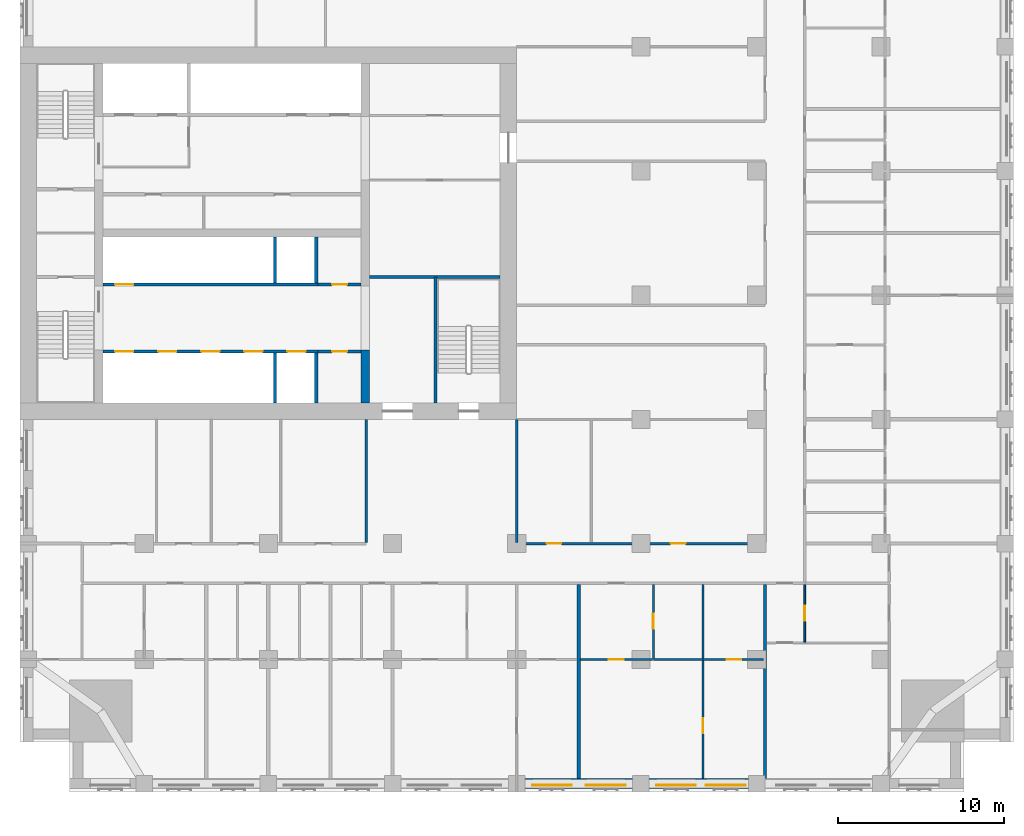
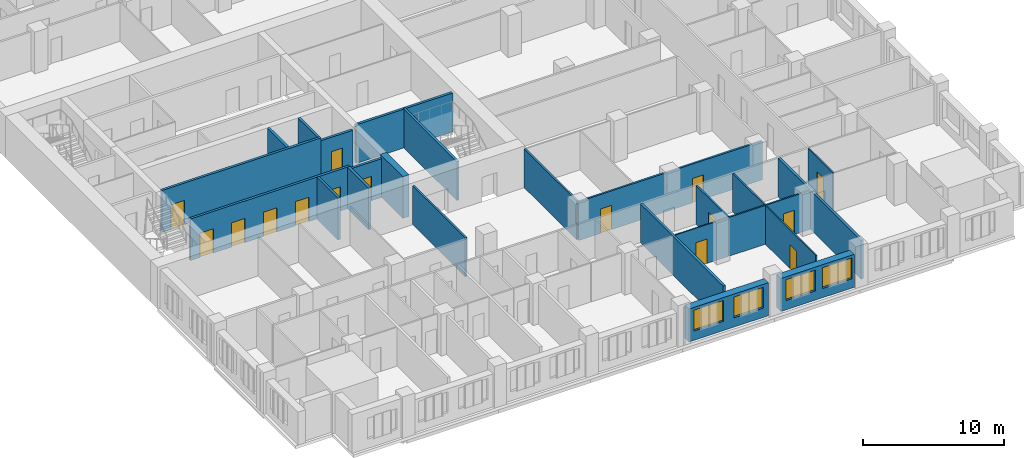
# One storey, part 6 of 15: 24 walls, 15 doors, 4 windows, 19 openings.
"""IFC4 building model written with IfcOpenShell, lengths in metres."""

import ifcopenshell
import ifcopenshell.guid

model = None  # the IFC model being written
_history = None  # IfcOwnerHistory: only IFC2X3 demands one
_inside = {}  # id of a spatial element -> (the spatial element, [elements in it])
_under = {}  # id of a project, library or spatial element -> (it, [spatial elements below it])
_declared = {}  # id of a project -> (the project, [libraries it declares])
_typed = {}  # id of a type object -> (the type object, [elements of that type])
_made_of = {}  # id of a material, layer set ... -> (it, [elements and type objects made of it])


def new_model(schema):
    """Start an empty IFC model of exactly this schema.

    Asked for "IFC4X3", IfcOpenShell would pick the latest addendum, in which some entities
    have other attributes; the version numbers below select the first issue.
    IFC2X3 requires an IfcOwnerHistory on every rooted entity: one is made here for all.
    """
    global model, _history
    if schema == "IFC4X3":
        model = ifcopenshell.file(schema_version=(4, 3, 0, 0))
    else:
        model = ifcopenshell.file(schema=schema)
    _inside.clear()
    _under.clear()
    _declared.clear()
    _typed.clear()
    _made_of.clear()
    _history = None
    if model.schema == "IFC2X3":
        org = make("IfcOrganization", Name="unknown")
        user = make(
            "IfcPersonAndOrganization",
            ThePerson=make("IfcPerson", FamilyName="unknown"),
            TheOrganization=org,
        )
        app = make(
            "IfcApplication",
            ApplicationDeveloper=org,
            Version="unknown",
            ApplicationFullName="unknown",
            ApplicationIdentifier="unknown",
        )
        _history = make(
            "IfcOwnerHistory",
            OwningUser=user,
            OwningApplication=app,
            ChangeAction="ADDED",
            CreationDate=0,
        )
    return model


def make(cls, **values):
    """One entity of the class cls with the attributes given. An attribute that is None is left unset."""
    return model.create_entity(
        cls, **{name: value for name, value in values.items() if value is not None}
    )


def rooted(cls, **values):
    """An entity with a GlobalId (a new one), such as an element, a storey or a relation."""
    return make(cls, GlobalId=ifcopenshell.guid.new(), OwnerHistory=_history, **values)


def si_unit(unit_type, name, prefix=None):
    """IfcSIUnit, for example si_unit("LENGTHUNIT", "METRE", prefix="MILLI")."""
    return make("IfcSIUnit", UnitType=unit_type, Prefix=prefix, Name=name)


def assignment(units):
    """IfcUnitAssignment: the units of a project."""
    return None if units is None else make("IfcUnitAssignment", Units=units)


def point(xyz):
    """IfcCartesianPoint."""
    return None if xyz is None else make("IfcCartesianPoint", Coordinates=xyz)


def direction(xyz):
    """IfcDirection."""
    return None if xyz is None else make("IfcDirection", DirectionRatios=xyz)


def frame(location, z_axis=None, x_axis=None):
    """IfcAxis2Placement3D, a coordinate frame: its origin and axes. An axis left out is left unset."""
    return make(
        "IfcAxis2Placement3D",
        Location=point(location),
        Axis=direction(z_axis),
        RefDirection=direction(x_axis),
    )


def frame_2d(location, x_axis=None):
    """IfcAxis2Placement2D, a coordinate frame in the plane: its origin and x axis."""
    return make(
        "IfcAxis2Placement2D", Location=point(location), RefDirection=direction(x_axis)
    )


def origin():
    """The frame at (0, 0, 0) with its axes left unset."""
    return frame((0.0, 0.0, 0.0))


def place(relative_to, where):
    """IfcLocalPlacement: puts the frame where relative to a parent placement (None: the world)."""
    return make(
        "IfcLocalPlacement", PlacementRelTo=relative_to, RelativePlacement=where
    )


def context(
    kind, dimensions, precision=None, world=None, true_north=None, identifier=None
):
    """IfcGeometricRepresentationContext, for example the 3D "Model" context."""
    return make(
        "IfcGeometricRepresentationContext",
        ContextIdentifier=identifier,
        ContextType=kind,
        CoordinateSpaceDimension=dimensions,
        Precision=precision,
        WorldCoordinateSystem=world,
        TrueNorth=true_north,
    )


def subcontext(parent, identifier, kind, view, scale=None):
    """IfcGeometricRepresentationSubContext, for example "Body" below "Model"."""
    return make(
        "IfcGeometricRepresentationSubContext",
        ContextIdentifier=identifier,
        ContextType=kind,
        ParentContext=parent,
        TargetScale=scale,
        TargetView=view,
    )


def project(units=None, contexts=None):
    """IfcProject with its units and contexts."""
    return rooted(
        "IfcProject",
        Name="project",
        RepresentationContexts=contexts,
        UnitsInContext=assignment(units),
    )


def spatial(cls, under=None, at=None, **own):
    """A site, building, storey or space (cls), placed at a placement, below another one or the project."""
    s = rooted(cls, ObjectPlacement=at, **own)
    if under is not None:
        _under.setdefault(under.id(), (under, []))[1].append(s)
    return s


def profile(cls, at=None, kind="AREA", **sizes):
    """A parametric profile (cls). Its sizes go by their IFC names, for example OverallWidth=200.0."""
    return make(cls, ProfileType=kind, Position=at, **sizes)


def rectangle(**sizes):
    """IfcRectangleProfileDef."""
    return profile("IfcRectangleProfileDef", **sizes)


def extrude(swept, where, along, depth):
    """IfcExtrudedAreaSolid: the profile swept, set in the frame where, extruded along a direction by depth."""
    return make(
        "IfcExtrudedAreaSolid",
        SweptArea=swept,
        Position=where,
        ExtrudedDirection=direction(along),
        Depth=depth,
    )


def shape(context_of_items, identifier, shape_type, items):
    """IfcShapeRepresentation: the items that make up one representation, for example the "Body"."""
    return make(
        "IfcShapeRepresentation",
        ContextOfItems=context_of_items,
        RepresentationIdentifier=identifier,
        RepresentationType=shape_type,
        Items=items,
    )


def material(Name=None, Category=None):
    """IfcMaterial."""
    return make("IfcMaterial", Name=Name, Category=Category)


def layer(
    of_material, thickness, ventilated=None, Name=None, Category=None, Priority=None
):
    """IfcMaterialLayer: one layer of a wall or slab, of a material (None: an air gap)."""
    return make(
        "IfcMaterialLayer",
        Material=of_material,
        LayerThickness=thickness,
        IsVentilated=ventilated,
        Name=Name,
        Category=Category,
        Priority=Priority,
    )


def layer_set(layers, Name=None):
    """IfcMaterialLayerSet."""
    return make("IfcMaterialLayerSet", MaterialLayers=layers, LayerSetName=Name)


def made_of(thing, what):
    """Note that an element or type object is made of a material, layer set ...; save() writes the relation."""
    if what is not None:
        _made_of.setdefault(what.id(), (what, []))[1].append(thing)
    return thing


def type_object(cls, material=None, **own):
    """A type object (cls), such as IfcWallType, which elements share."""
    return made_of(rooted(cls, **own), material)


def element(
    cls,
    number,
    at=None,
    inside=None,
    cuts=None,
    type_object=None,
    material=None,
    context=None,
    identifier="Body",
    shape_type=None,
    held_by="IfcProductDefinitionShape",
    body=None,
    shapes=None,
    **own,
):
    """One element of the class cls, such as IfcWall. Its Tag is "e" and its number.

    at: its placement. inside: the storey or other place that contains it. cuts: it is an
    opening in that element (IfcRelVoidsElement). A single representation is given by context,
    identifier, shape_type and body (its items); several are given by shapes. held_by: the class
    of the entity that holds the representations. save() writes the other relations.
    """
    e = rooted(cls, Tag="e%d" % number, ObjectPlacement=at, **own)
    if body is not None:
        shapes = [shape(context, identifier, shape_type, body)]
    if shapes is not None:
        e.Representation = make(held_by, Representations=shapes)
    if inside is not None:
        _inside.setdefault(inside.id(), (inside, []))[1].append(e)
    if cuts is not None:
        rooted(
            "IfcRelVoidsElement", RelatingBuildingElement=cuts, RelatedOpeningElement=e
        )
    if type_object is not None:
        _typed.setdefault(type_object.id(), (type_object, []))[1].append(e)
    return made_of(e, material)


def fill(opening, filler):
    """IfcRelFillsElement: the door or window that sits in an opening."""
    return rooted(
        "IfcRelFillsElement",
        RelatingOpeningElement=opening,
        RelatedBuildingElement=filler,
    )


def aggregate(whole, parts):
    """IfcRelAggregates: a whole, such as a stair, and the parts it consists of."""
    return rooted("IfcRelAggregates", RelatingObject=whole, RelatedObjects=parts)


def save(model, path):
    """Write the relations noted so far, then the file.

    IfcRelAggregates (storeys below a building ...), IfcRelContainedInSpatialStructure (elements
    in a storey), IfcRelDefinesByType, IfcRelAssociatesMaterial and IfcRelDeclares: one each for
    every whole, place, type object, material and project.
    """
    for whole, parts in _under.values():
        aggregate(whole, parts)
    for where, things in _inside.values():
        rooted(
            "IfcRelContainedInSpatialStructure",
            RelatedElements=things,
            RelatingStructure=where,
        )
    for kind, things in _typed.values():
        rooted("IfcRelDefinesByType", RelatedObjects=things, RelatingType=kind)
    for what, things in _made_of.values():
        rooted("IfcRelAssociatesMaterial", RelatedObjects=things, RelatingMaterial=what)
    for by, libraries in _declared.values():
        rooted("IfcRelDeclares", RelatingContext=by, RelatedDefinitions=libraries)
    model.write(path)


model = new_model("IFC4")

# Units and contexts
model_context = context("Model", 3, precision=1e-05, world=origin(), true_north=direction((0.0, 1.0)))
body_context = subcontext(model_context, "Body", "Model", "MODEL_VIEW")
ifc_project = project(units=[si_unit("LENGTHUNIT", "METRE"), si_unit("AREAUNIT", "SQUARE_METRE"), si_unit("VOLUMEUNIT", "CUBIC_METRE"), si_unit("PLANEANGLEUNIT", "RADIAN"), si_unit("MASSUNIT", "GRAM", prefix="KILO")], contexts=[model_context])

# Site, building, storey
site_placement = place(None, origin())
site = spatial("IfcSite", under=ifc_project, at=site_placement, CompositionType="ELEMENT")
building_placement = place(site_placement, origin())
building = spatial("IfcBuilding", under=site, at=building_placement, Name="Tamorin Gate", CompositionType="ELEMENT")
storey_placement = place(building_placement, frame((0.0, 0.0, 82.699951171875)))
storey = spatial("IfcBuildingStorey", under=building, at=storey_placement, Name="L19", CompositionType="ELEMENT", Elevation=82.699951171875)

# Wall, openings, windows
ifc_material_1 = material(Name="Precast concrete C40/50", Category="concrete")
ifc_layer_1 = layer(ifc_material_1, 0.60009765625)
ifc_layer_set_1 = layer_set([ifc_layer_1], Name="Precast concrete C40/50")
wall_type_1 = type_object("IfcWallType", Name="Board-marked concrete facade panel 600", PredefinedType="SOLIDWALL", material=ifc_layer_set_1)
wall_1_placement = place(storey_placement, frame((60.5, 38.0, 0.0), z_axis=(0.0, 0.0, 1.0), x_axis=(1.0, 0.0, 0.0)))
wall_1 = element("IfcWall", 1, at=wall_1_placement, inside=storey, type_object=wall_type_1, Name="Facade panel", PredefinedType="SOLIDWALL", context=body_context, shape_type="SweptSolid", body=[
    extrude(rectangle(XDim=6.5, YDim=0.60009765625, at=frame_2d((3.25, 0.0))), origin(), (0.0, 0.0, 1.0), 2.85009765625),
])
opening_1_placement = place(wall_1_placement, frame((0.425048828125, 0.0, 0.800048828125)))
opening_1 = element("IfcOpeningElement", 2, at=opening_1_placement, cuts=wall_1, Name="Opening WN1", PredefinedType="OPENING", context=body_context, shape_type="SweptSolid", body=[
    extrude(rectangle(XDim=2.39990234375, YDim=1.800048828125, at=frame_2d((1.199951171875, 0.89990234375))), frame((0.0, 0.31005859375, 0.0), z_axis=(0.0, -1.0, 0.0), x_axis=(1.0, 0.0, 0.0)), (0.0, 0.0, 1.0), 0.6201171875),
])
opening_2_placement = place(wall_1_placement, frame((3.675048828125, 0.0, 0.800048828125)))
opening_2 = element("IfcOpeningElement", 3, at=opening_2_placement, cuts=wall_1, Name="Opening WN1", PredefinedType="OPENING", context=body_context, shape_type="SweptSolid", body=[
    extrude(rectangle(XDim=2.39990234375, YDim=1.800048828125, at=frame_2d((1.199951171875, 0.89990234375))), frame((0.0, 0.31005859375, 0.0), z_axis=(0.0, -1.0, 0.0), x_axis=(1.0, 0.0, 0.0)), (0.0, 0.0, 1.0), 0.6201171875),
])
ifc_material_2 = material(Name="Clear glass in aluminium frame", Category="aluminium")
window_type = type_object("IfcWindowType", Name="Deep-set window 2400x1800", PartitioningType="SINGLE_PANEL", PredefinedType="WINDOW", material=ifc_material_2)
window_1_placement = place(opening_1_placement, origin())
window_1 = element("IfcWindow", 4, at=window_1_placement, inside=storey, type_object=window_type, Name="Deep-set window", OverallHeight=1.800048828125, OverallWidth=2.39990234375, PartitioningType="SINGLE_PANEL", PredefinedType="WINDOW", context=body_context, shape_type="SweptSolid", body=[
    extrude(rectangle(XDim=2.39990234375, YDim=1.800048828125, at=frame_2d((1.199951171875, 0.89990234375))), frame((0.0, -0.070068359375, 0.0), z_axis=(0.0, -1.0, 0.0), x_axis=(1.0, 0.0, 0.0)), (0.0, 0.0, 1.0), 0.06005859375),
])
fill(opening_1, window_1)
window_2_placement = place(opening_2_placement, origin())
window_2 = element("IfcWindow", 5, at=window_2_placement, inside=storey, type_object=window_type, Name="Deep-set window", OverallHeight=1.800048828125, OverallWidth=2.39990234375, PartitioningType="SINGLE_PANEL", PredefinedType="WINDOW", context=body_context, shape_type="SweptSolid", body=[
    extrude(rectangle(XDim=2.39990234375, YDim=1.800048828125, at=frame_2d((1.199951171875, 0.89990234375))), frame((0.0, -0.070068359375, 0.0), z_axis=(0.0, -1.0, 0.0), x_axis=(1.0, 0.0, 0.0)), (0.0, 0.0, 1.0), 0.06005859375),
])
fill(opening_2, window_2)

wall_2_placement = place(storey_placement, frame((68.0, 38.0, 0.0), z_axis=(0.0, 0.0, 1.0), x_axis=(1.0, 0.0, 0.0)))
wall_2 = element("IfcWall", 6, at=wall_2_placement, inside=storey, type_object=wall_type_1, Name="Facade panel", PredefinedType="SOLIDWALL", context=body_context, shape_type="SweptSolid", body=[
    extrude(rectangle(XDim=6.0, YDim=0.60009765625, at=frame_2d((3.0, 0.0))), origin(), (0.0, 0.0, 1.0), 2.85009765625),
])
opening_3_placement = place(wall_2_placement, frame((0.425048828125, 0.0, 0.800048828125)))
opening_3 = element("IfcOpeningElement", 7, at=opening_3_placement, cuts=wall_2, Name="Opening WN1", PredefinedType="OPENING", context=body_context, shape_type="SweptSolid", body=[
    extrude(rectangle(XDim=2.39990234375, YDim=1.800048828125, at=frame_2d((1.199951171875, 0.89990234375))), frame((0.0, 0.31005859375, 0.0), z_axis=(0.0, -1.0, 0.0), x_axis=(1.0, 0.0, 0.0)), (0.0, 0.0, 1.0), 0.6201171875),
])
opening_4_placement = place(wall_2_placement, frame((3.425048828125, 0.0, 0.800048828125)))
opening_4 = element("IfcOpeningElement", 8, at=opening_4_placement, cuts=wall_2, Name="Opening WN1", PredefinedType="OPENING", context=body_context, shape_type="SweptSolid", body=[
    extrude(rectangle(XDim=2.39990234375, YDim=1.800048828125, at=frame_2d((1.199951171875, 0.89990234375))), frame((0.0, 0.31005859375, 0.0), z_axis=(0.0, -1.0, 0.0), x_axis=(1.0, 0.0, 0.0)), (0.0, 0.0, 1.0), 0.6201171875),
])
window_3_placement = place(opening_3_placement, origin())
window_3 = element("IfcWindow", 9, at=window_3_placement, inside=storey, type_object=window_type, Name="Deep-set window", OverallHeight=1.800048828125, OverallWidth=2.39990234375, PartitioningType="SINGLE_PANEL", PredefinedType="WINDOW", context=body_context, shape_type="SweptSolid", body=[
    extrude(rectangle(XDim=2.39990234375, YDim=1.800048828125, at=frame_2d((1.199951171875, 0.89990234375))), frame((0.0, -0.070068359375, 0.0), z_axis=(0.0, -1.0, 0.0), x_axis=(1.0, 0.0, 0.0)), (0.0, 0.0, 1.0), 0.06005859375),
])
fill(opening_3, window_3)
window_4_placement = place(opening_4_placement, origin())
window_4 = element("IfcWindow", 10, at=window_4_placement, inside=storey, type_object=window_type, Name="Deep-set window", OverallHeight=1.800048828125, OverallWidth=2.39990234375, PartitioningType="SINGLE_PANEL", PredefinedType="WINDOW", context=body_context, shape_type="SweptSolid", body=[
    extrude(rectangle(XDim=2.39990234375, YDim=1.800048828125, at=frame_2d((1.199951171875, 0.89990234375))), frame((0.0, -0.070068359375, 0.0), z_axis=(0.0, -1.0, 0.0), x_axis=(1.0, 0.0, 0.0)), (0.0, 0.0, 1.0), 0.06005859375),
])
fill(opening_4, window_4)

# Wall, openings, doors
ifc_material_3 = material(Name="Gypsum board partition")
ifc_layer_2 = layer(ifc_material_3, 0.14990234375)
ifc_layer_set_2 = layer_set([ifc_layer_2], Name="Corridor wall 150")
wall_type_2 = type_object("IfcWallType", Name="Corridor wall 150", PredefinedType="PARTITIONING", material=ifc_layer_set_2)
wall_3_placement = place(storey_placement, frame((60.0, 52.5, 0.0), z_axis=(0.0, 0.0, 1.0), x_axis=(1.0, 0.0, 0.0)))
wall_3 = element("IfcWall", 11, at=wall_3_placement, inside=storey, type_object=wall_type_2, Name="Corridor wall 150", PredefinedType="PARTITIONING", context=body_context, shape_type="SweptSolid", body=[
    extrude(rectangle(XDim=15.0, YDim=0.14990234375, at=frame_2d((7.5, 0.0))), origin(), (0.0, 0.0, 1.0), 3.35009765625),
])
opening_5_placement = place(wall_3_placement, frame((1.800048828125, 0.0, 0.0)))
opening_5 = element("IfcOpeningElement", 12, at=opening_5_placement, cuts=wall_3, Name="Opening DH6090", PredefinedType="OPENING", context=body_context, shape_type="SweptSolid", body=[
    extrude(rectangle(XDim=0.89990234375, YDim=2.10009765625, at=frame_2d((0.449951171875, 1.050048828125))), frame((0.0, 0.0849609375, 0.0), z_axis=(0.0, -1.0, 0.0), x_axis=(1.0, 0.0, 0.0)), (0.0, 0.0, 1.0), 0.169921875),
])
opening_6_placement = place(wall_3_placement, frame((9.300048828125, 0.0, 0.0)))
opening_6 = element("IfcOpeningElement", 13, at=opening_6_placement, cuts=wall_3, Name="Opening DH6091", PredefinedType="OPENING", context=body_context, shape_type="SweptSolid", body=[
    extrude(rectangle(XDim=0.89990234375, YDim=2.10009765625, at=frame_2d((0.449951171875, 1.050048828125))), frame((0.0, 0.0849609375, 0.0), z_axis=(0.0, -1.0, 0.0), x_axis=(1.0, 0.0, 0.0)), (0.0, 0.0, 1.0), 0.169921875),
])
ifc_material_4 = material(Name="Timber door leaf", Category="wood")
door_type_1 = type_object("IfcDoorType", Name="Door 900 x 2100 FD30S", OperationType="NOTDEFINED", PredefinedType="DOOR", material=ifc_material_4)
door_1_placement = place(opening_5_placement, origin())
door_1 = element("IfcDoor", 14, at=door_1_placement, inside=storey, type_object=door_type_1, Name="Door DH6090", OperationType="SINGLE_SWING_LEFT", OverallHeight=2.10009765625, OverallWidth=0.89990234375, PredefinedType="DOOR", context=body_context, shape_type="SweptSolid", body=[
    extrude(rectangle(XDim=0.89990234375, YDim=2.10009765625, at=frame_2d((0.449951171875, 1.050048828125))), frame((0.0, 0.02490234375, 0.0), z_axis=(0.0, -1.0, 0.0), x_axis=(1.0, 0.0, 0.0)), (0.0, 0.0, 1.0), 0.050048828125),
])
fill(opening_5, door_1)
door_2_placement = place(opening_6_placement, origin())
door_2 = element("IfcDoor", 15, at=door_2_placement, inside=storey, type_object=door_type_1, Name="Door DH6091", OperationType="SINGLE_SWING_LEFT", OverallHeight=2.10009765625, OverallWidth=0.89990234375, PredefinedType="DOOR", context=body_context, shape_type="SweptSolid", body=[
    extrude(rectangle(XDim=0.89990234375, YDim=2.10009765625, at=frame_2d((0.449951171875, 1.050048828125))), frame((0.0, 0.02490234375, 0.0), z_axis=(0.0, -1.0, 0.0), x_axis=(1.0, 0.0, 0.0)), (0.0, 0.0, 1.0), 0.050048828125),
])
fill(opening_6, door_2)

# Walls
ifc_layer_3 = layer(ifc_material_3, 0.199951171875)
ifc_layer_set_3 = layer_set([ifc_layer_3], Name="Demising wall 200")
wall_type_3 = type_object("IfcWallType", Name="Demising wall 200", PredefinedType="PARTITIONING", material=ifc_layer_set_3)
for number, where, z_axis, x_axis, name in (
    (16, (63.75, 38.31005859375, 0.0), (0.0, 0.0, 1.0), (0.0, 1.0, 0.0), "Demising wall 200"),
    (17, (75.0, 38.31005859375, 0.0), (0.0, 0.0, 1.0), (0.0, 1.0, 0.0), "Demising wall 200"),
):
    element("IfcWall", number, at=place(storey_placement, frame(where, z_axis=z_axis, x_axis=x_axis)), inside=storey, type_object=wall_type_3, Name=name, PredefinedType="PARTITIONING", context=body_context, shape_type="SweptSolid", body=[
        extrude(rectangle(XDim=11.71484375, YDim=0.199951171875, at=frame_2d((5.857421875, 0.0))), origin(), (0.0, 0.0, 1.0), 3.35009765625),
    ])

# Wall, openings, doors
ifc_material_5 = material(Name="Concrete C32/40", Category="concrete")
ifc_layer_4 = layer(ifc_material_5, 0.199951171875)
ifc_layer_set_4 = layer_set([ifc_layer_4], Name="Lift lobby face wall 200 EI 120")
wall_type_4 = type_object("IfcWallType", Name="Lift lobby face wall 200 EI 120", PredefinedType="SOLIDWALL", material=ifc_layer_set_4)
wall_4_placement = place(storey_placement, frame((35.0, 64.10009765625, 0.0), z_axis=(0.0, 0.0, 1.0), x_axis=(1.0, 0.0, 0.0)))
wall_4 = element("IfcWall", 18, at=wall_4_placement, inside=storey, type_object=wall_type_4, Name="Lift lobby face wall", PredefinedType="SOLIDWALL", context=body_context, shape_type="SweptSolid", body=[
    extrude(rectangle(XDim=13.0, YDim=0.199951171875, at=frame_2d((6.5, 0.0))), origin(), (0.0, 0.0, 1.0), 3.60009765625),
])
opening_7_placement = place(wall_4_placement, frame((0.75, 0.0, 0.0)))
opening_7 = element("IfcOpeningElement", 19, at=opening_7_placement, cuts=wall_4, Name="Opening LD1", PredefinedType="OPENING", context=body_context, shape_type="SweptSolid", body=[
    extrude(rectangle(XDim=1.10009765625, YDim=2.10009765625, at=frame_2d((0.550048828125, 1.050048828125))), frame((0.0, 0.10986328125, 0.0), z_axis=(0.0, -1.0, 0.0), x_axis=(1.0, 0.0, 0.0)), (0.0, 0.0, 1.0), 0.219970703125),
])
opening_8_placement = place(wall_4_placement, frame((3.35009765625, 0.0, 0.0)))
opening_8 = element("IfcOpeningElement", 20, at=opening_8_placement, cuts=wall_4, Name="Opening LD2", PredefinedType="OPENING", context=body_context, shape_type="SweptSolid", body=[
    extrude(rectangle(XDim=1.10009765625, YDim=2.10009765625, at=frame_2d((0.550048828125, 1.050048828125))), frame((0.0, 0.10986328125, 0.0), z_axis=(0.0, -1.0, 0.0), x_axis=(1.0, 0.0, 0.0)), (0.0, 0.0, 1.0), 0.219970703125),
])
opening_9_placement = place(wall_4_placement, frame((5.949951171875, 0.0, 0.0)))
opening_9 = element("IfcOpeningElement", 21, at=opening_9_placement, cuts=wall_4, Name="Opening LD3", PredefinedType="OPENING", context=body_context, shape_type="SweptSolid", body=[
    extrude(rectangle(XDim=1.10009765625, YDim=2.10009765625, at=frame_2d((0.550048828125, 1.050048828125))), frame((0.0, 0.10986328125, 0.0), z_axis=(0.0, -1.0, 0.0), x_axis=(1.0, 0.0, 0.0)), (0.0, 0.0, 1.0), 0.219970703125),
])
opening_10_placement = place(wall_4_placement, frame((8.550048828125, 0.0, 0.0)))
opening_10 = element("IfcOpeningElement", 22, at=opening_10_placement, cuts=wall_4, Name="Opening LD4", PredefinedType="OPENING", context=body_context, shape_type="SweptSolid", body=[
    extrude(rectangle(XDim=1.10009765625, YDim=2.10009765625, at=frame_2d((0.550048828125, 1.050048828125))), frame((0.0, 0.10986328125, 0.0), z_axis=(0.0, -1.0, 0.0), x_axis=(1.0, 0.0, 0.0)), (0.0, 0.0, 1.0), 0.219970703125),
])
opening_11_placement = place(wall_4_placement, frame((11.14990234375, 0.0, 0.0)))
opening_11 = element("IfcOpeningElement", 23, at=opening_11_placement, cuts=wall_4, Name="Opening LD5", PredefinedType="OPENING", context=body_context, shape_type="SweptSolid", body=[
    extrude(rectangle(XDim=1.10009765625, YDim=2.10009765625, at=frame_2d((0.550048828125, 1.050048828125))), frame((0.0, 0.10986328125, 0.0), z_axis=(0.0, -1.0, 0.0), x_axis=(1.0, 0.0, 0.0)), (0.0, 0.0, 1.0), 0.219970703125),
])
ifc_material_6 = material(Name="Stainless steel sliding door", Category="steel")
door_type_2 = type_object("IfcDoorType", Name="Lift landing door 1100 x 2100 E 90", OperationType="DOUBLE_DOOR_SLIDING", PredefinedType="DOOR", material=ifc_material_6)
door_3_placement = place(opening_7_placement, origin())
door_3 = element("IfcDoor", 24, at=door_3_placement, inside=storey, type_object=door_type_2, Name="LR1 landing door", OperationType="DOUBLE_DOOR_SLIDING", OverallHeight=2.10009765625, OverallWidth=1.10009765625, PredefinedType="DOOR", context=body_context, shape_type="SweptSolid", body=[
    extrude(rectangle(XDim=1.10009765625, YDim=2.10009765625, at=frame_2d((0.550048828125, 1.050048828125))), frame((0.0, 0.02490234375, 0.0), z_axis=(0.0, -1.0, 0.0), x_axis=(1.0, 0.0, 0.0)), (0.0, 0.0, 1.0), 0.050048828125),
])
fill(opening_7, door_3)
door_4_placement = place(opening_8_placement, origin())
door_4 = element("IfcDoor", 25, at=door_4_placement, inside=storey, type_object=door_type_2, Name="LR2 landing door", OperationType="DOUBLE_DOOR_SLIDING", OverallHeight=2.10009765625, OverallWidth=1.10009765625, PredefinedType="DOOR", context=body_context, shape_type="SweptSolid", body=[
    extrude(rectangle(XDim=1.10009765625, YDim=2.10009765625, at=frame_2d((0.550048828125, 1.050048828125))), frame((0.0, 0.02490234375, 0.0), z_axis=(0.0, -1.0, 0.0), x_axis=(1.0, 0.0, 0.0)), (0.0, 0.0, 1.0), 0.050048828125),
])
fill(opening_8, door_4)
door_5_placement = place(opening_9_placement, origin())
door_5 = element("IfcDoor", 26, at=door_5_placement, inside=storey, type_object=door_type_2, Name="LR3 landing door", OperationType="DOUBLE_DOOR_SLIDING", OverallHeight=2.10009765625, OverallWidth=1.10009765625, PredefinedType="DOOR", context=body_context, shape_type="SweptSolid", body=[
    extrude(rectangle(XDim=1.10009765625, YDim=2.10009765625, at=frame_2d((0.550048828125, 1.050048828125))), frame((0.0, 0.02490234375, 0.0), z_axis=(0.0, -1.0, 0.0), x_axis=(1.0, 0.0, 0.0)), (0.0, 0.0, 1.0), 0.050048828125),
])
fill(opening_9, door_5)
door_6_placement = place(opening_10_placement, origin())
door_6 = element("IfcDoor", 27, at=door_6_placement, inside=storey, type_object=door_type_2, Name="LR4 landing door", OperationType="DOUBLE_DOOR_SLIDING", OverallHeight=2.10009765625, OverallWidth=1.10009765625, PredefinedType="DOOR", context=body_context, shape_type="SweptSolid", body=[
    extrude(rectangle(XDim=1.10009765625, YDim=2.10009765625, at=frame_2d((0.550048828125, 1.050048828125))), frame((0.0, 0.02490234375, 0.0), z_axis=(0.0, -1.0, 0.0), x_axis=(1.0, 0.0, 0.0)), (0.0, 0.0, 1.0), 0.050048828125),
])
fill(opening_10, door_6)
door_7_placement = place(opening_11_placement, origin())
door_7 = element("IfcDoor", 28, at=door_7_placement, inside=storey, type_object=door_type_2, Name="LR5 landing door", OperationType="DOUBLE_DOOR_SLIDING", OverallHeight=2.10009765625, OverallWidth=1.10009765625, PredefinedType="DOOR", context=body_context, shape_type="SweptSolid", body=[
    extrude(rectangle(XDim=1.10009765625, YDim=2.10009765625, at=frame_2d((0.550048828125, 1.050048828125))), frame((0.0, 0.02490234375, 0.0), z_axis=(0.0, -1.0, 0.0), x_axis=(1.0, 0.0, 0.0)), (0.0, 0.0, 1.0), 0.050048828125),
])
fill(opening_11, door_7)

# Wall, opening, door
wall_5_placement = place(storey_placement, frame((35.0, 68.14990234375, 0.0), z_axis=(0.0, 0.0, 1.0), x_axis=(1.0, 0.0, 0.0)))
wall_5 = element("IfcWall", 29, at=wall_5_placement, inside=storey, type_object=wall_type_4, Name="Lift lobby face wall", PredefinedType="SOLIDWALL", context=body_context, shape_type="SweptSolid", body=[
    extrude(rectangle(XDim=13.0, YDim=0.199951171875, at=frame_2d((6.5, 0.0))), origin(), (0.0, 0.0, 1.0), 3.60009765625),
])
opening_12_placement = place(wall_5_placement, frame((0.75, 0.0, 0.0)))
opening_12 = element("IfcOpeningElement", 30, at=opening_12_placement, cuts=wall_5, Name="Opening LD6", PredefinedType="OPENING", context=body_context, shape_type="SweptSolid", body=[
    extrude(rectangle(XDim=1.10009765625, YDim=2.10009765625, at=frame_2d((0.550048828125, 1.050048828125))), frame((0.0, 0.10986328125, 0.0), z_axis=(0.0, -1.0, 0.0), x_axis=(1.0, 0.0, 0.0)), (0.0, 0.0, 1.0), 0.219970703125),
])
door_8_placement = place(opening_12_placement, origin())
door_8 = element("IfcDoor", 31, at=door_8_placement, inside=storey, type_object=door_type_2, Name="LR6 landing door", OperationType="DOUBLE_DOOR_SLIDING", OverallHeight=2.10009765625, OverallWidth=1.10009765625, PredefinedType="DOOR", context=body_context, shape_type="SweptSolid", body=[
    extrude(rectangle(XDim=1.10009765625, YDim=2.10009765625, at=frame_2d((0.550048828125, 1.050048828125))), frame((0.0, 0.02490234375, 0.0), z_axis=(0.0, -1.0, 0.0), x_axis=(1.0, 0.0, 0.0)), (0.0, 0.0, 1.0), 0.050048828125),
])
fill(opening_12, door_8)

# Walls
ifc_layer_5 = layer(ifc_material_5, 0.199951171875)
ifc_layer_set_5 = layer_set([ifc_layer_5], Name="Lift shaft wall 200 EI 120")
wall_type_5 = type_object("IfcWallType", Name="Lift shaft wall 200 EI 120", PredefinedType="SOLIDWALL", material=ifc_layer_set_5)
for number, where, z_axis, x_axis, name in (
    (32, (45.39990234375, 61.0, 0.0), (0.0, 0.0, 1.0), (0.0, 1.0, 0.0), "Lift shaft wall"),
    (33, (47.89990234375, 61.0, 0.0), (0.0, 0.0, 1.0), (0.0, 1.0, 0.0), "Lift shaft wall"),
):
    element("IfcWall", number, at=place(storey_placement, frame(where, z_axis=z_axis, x_axis=x_axis)), inside=storey, type_object=wall_type_5, Name=name, PredefinedType="SOLIDWALL", context=body_context, shape_type="SweptSolid", body=[
        extrude(rectangle(XDim=3.0, YDim=0.199951171875, at=frame_2d((1.5, 0.0))), origin(), (0.0, 0.0, 1.0), 3.60009765625),
    ])
for number, where, z_axis, x_axis, name in (
    (34, (45.39990234375, 68.25, 0.0), (0.0, 0.0, 1.0), (0.0, 1.0, 0.0), "Lift shaft wall"),
    (35, (47.89990234375, 68.25, 0.0), (0.0, 0.0, 1.0), (0.0, 1.0, 0.0), "Lift shaft wall"),
):
    element("IfcWall", number, at=place(storey_placement, frame(where, z_axis=z_axis, x_axis=x_axis)), inside=storey, type_object=wall_type_5, Name=name, PredefinedType="SOLIDWALL", context=body_context, shape_type="SweptSolid", body=[
        extrude(rectangle(XDim=2.75, YDim=0.199951171875, at=frame_2d((1.375, 0.0))), origin(), (0.0, 0.0, 1.0), 3.60009765625),
    ])
ifc_layer_6 = layer(ifc_material_3, 0.14990234375)
ifc_layer_set_6 = layer_set([ifc_layer_6], Name="Lobby wall 150")
wall_type_6 = type_object("IfcWallType", Name="Lobby wall 150", PredefinedType="PARTITIONING", material=ifc_layer_set_6)
for number, where, z_axis, x_axis, name in (
    (36, (50.89990234375, 52.574951171875, 0.0), (0.0, 0.0, 1.0), (0.0, 1.0, 0.0), "Lobby wall 150"),
    (37, (60.0, 52.574951171875, 0.0), (0.0, 0.0, 1.0), (0.0, 1.0, 0.0), "Lobby wall 150"),
):
    element("IfcWall", number, at=place(storey_placement, frame(where, z_axis=z_axis, x_axis=x_axis)), inside=storey, type_object=wall_type_6, Name=name, PredefinedType="PARTITIONING", context=body_context, shape_type="SweptSolid", body=[
        extrude(rectangle(XDim=7.425048828125, YDim=0.14990234375, at=frame_2d((3.71240234375, 0.0))), origin(), (0.0, 0.0, 1.0), 3.35009765625),
    ])
ifc_material_7 = material(Name="Concrete C80/95", Category="concrete")
ifc_layer_7 = layer(ifc_material_7, 0.5)
ifc_layer_set_7 = layer_set([ifc_layer_7], Name="RC core internal wall 500 C80/95")
wall_type_7 = type_object("IfcWallType", Name="RC core internal wall 500 C80/95", PredefinedType="SHEAR", material=ifc_layer_set_7)
wall_6_placement = place(storey_placement, frame((50.85009765625, 61.0, 0.0), z_axis=(0.0, 0.0, 1.0), x_axis=(0.0, 1.0, 0.0)))
element("IfcWall", 38, at=wall_6_placement, inside=storey, type_object=wall_type_7, Name="Core cross wall L19", PredefinedType="SHEAR", context=body_context, shape_type="SweptSolid", body=[
    extrude(rectangle(XDim=3.199951171875, YDim=0.5, at=frame_2d((1.60009765625, 0.0))), origin(), (0.0, 0.0, 1.0), 3.60009765625),
])

# Wall, opening, door
ifc_layer_8 = layer(ifc_material_3, 0.10009765625)
ifc_layer_set_8 = layer_set([ifc_layer_8], Name="Room partition 100")
wall_type_8 = type_object("IfcWallType", Name="Room partition 100", PredefinedType="PARTITIONING", material=ifc_layer_set_8)
wall_7_placement = place(storey_placement, frame((63.85009765625, 45.5, 0.0), z_axis=(0.0, 0.0, 1.0), x_axis=(1.0, 0.0, 0.0)))
wall_7 = element("IfcWall", 39, at=wall_7_placement, inside=storey, type_object=wall_type_8, Name="Room partition 100", PredefinedType="PARTITIONING", context=body_context, shape_type="SweptSolid", body=[
    extrude(rectangle(XDim=4.33740234375, YDim=0.10009765625, at=frame_2d((2.168701171875, 0.0))), origin(), (0.0, 0.0, 1.0), 3.35009765625),
])
opening_13_placement = place(wall_7_placement, frame((1.699951171875, 0.0, 0.0)))
opening_13 = element("IfcOpeningElement", 40, at=opening_13_placement, cuts=wall_7, Name="Opening DH6020", PredefinedType="OPENING", context=body_context, shape_type="SweptSolid", body=[
    extrude(rectangle(XDim=0.89990234375, YDim=2.10009765625, at=frame_2d((0.449951171875, 1.050048828125))), frame((0.0, 0.06005859375, 0.0), z_axis=(0.0, -1.0, 0.0), x_axis=(1.0, 0.0, 0.0)), (0.0, 0.0, 1.0), 0.1201171875),
])
door_type_3 = type_object("IfcDoorType", Name="Door 900 x 2100", OperationType="NOTDEFINED", PredefinedType="DOOR", material=ifc_material_4)
door_9_placement = place(opening_13_placement, origin())
door_9 = element("IfcDoor", 41, at=door_9_placement, inside=storey, type_object=door_type_3, Name="Door DH6020", OperationType="SINGLE_SWING_LEFT", OverallHeight=2.10009765625, OverallWidth=0.89990234375, PredefinedType="DOOR", context=body_context, shape_type="SweptSolid", body=[
    extrude(rectangle(XDim=0.89990234375, YDim=2.10009765625, at=frame_2d((0.449951171875, 1.050048828125))), frame((0.0, 0.02490234375, 0.0), z_axis=(0.0, -1.0, 0.0), x_axis=(1.0, 0.0, 0.0)), (0.0, 0.0, 1.0), 0.050048828125),
])
fill(opening_13, door_9)

wall_8_placement = place(storey_placement, frame((71.25, 38.31005859375, 0.0), z_axis=(0.0, 0.0, 1.0), x_axis=(0.0, 1.0, 0.0)))
wall_8 = element("IfcWall", 42, at=wall_8_placement, inside=storey, type_object=wall_type_8, Name="Room partition 100", PredefinedType="PARTITIONING", context=body_context, shape_type="SweptSolid", body=[
    extrude(rectangle(XDim=7.12744140625, YDim=0.10009765625, at=frame_2d((3.563720703125, 0.0))), origin(), (0.0, 0.0, 1.0), 3.35009765625),
])
opening_14_placement = place(wall_8_placement, frame((2.739990234375, 0.0, 0.0)))
opening_14 = element("IfcOpeningElement", 43, at=opening_14_placement, cuts=wall_8, Name="Opening DH6023", PredefinedType="OPENING", context=body_context, shape_type="SweptSolid", body=[
    extrude(rectangle(XDim=0.89990234375, YDim=2.10009765625, at=frame_2d((0.449951171875, 1.050048828125))), frame((0.0, 0.06005859375, 0.0), z_axis=(0.0, -1.0, 0.0), x_axis=(1.0, 0.0, 0.0)), (0.0, 0.0, 1.0), 0.1201171875),
])
door_10_placement = place(opening_14_placement, origin())
door_10 = element("IfcDoor", 44, at=door_10_placement, inside=storey, type_object=door_type_3, Name="Door DH6023", OperationType="SINGLE_SWING_LEFT", OverallHeight=2.10009765625, OverallWidth=0.89990234375, PredefinedType="DOOR", context=body_context, shape_type="SweptSolid", body=[
    extrude(rectangle(XDim=0.89990234375, YDim=2.10009765625, at=frame_2d((0.449951171875, 1.050048828125))), frame((0.0, 0.02490234375, 0.0), z_axis=(0.0, -1.0, 0.0), x_axis=(1.0, 0.0, 0.0)), (0.0, 0.0, 1.0), 0.050048828125),
])
fill(opening_14, door_10)

wall_9_placement = place(storey_placement, frame((77.39990234375, 46.550048828125, 0.0), z_axis=(0.0, 0.0, 1.0), x_axis=(0.0, 1.0, 0.0)))
wall_9 = element("IfcWall", 45, at=wall_9_placement, inside=storey, type_object=wall_type_8, Name="Room partition 100", PredefinedType="PARTITIONING", context=body_context, shape_type="SweptSolid", body=[
    extrude(rectangle(XDim=3.474853515625, YDim=0.10009765625, at=frame_2d((1.7373046875, 0.0))), origin(), (0.0, 0.0, 1.0), 3.35009765625),
])
opening_15_placement = place(wall_9_placement, frame((1.300048828125, 0.0, 0.0)))
opening_15 = element("IfcOpeningElement", 46, at=opening_15_placement, cuts=wall_9, Name="Opening DH6076", PredefinedType="OPENING", context=body_context, shape_type="SweptSolid", body=[
    extrude(rectangle(XDim=0.89990234375, YDim=2.10009765625, at=frame_2d((0.449951171875, 1.050048828125))), frame((0.0, 0.06005859375, 0.0), z_axis=(0.0, -1.0, 0.0), x_axis=(1.0, 0.0, 0.0)), (0.0, 0.0, 1.0), 0.1201171875),
])
door_11_placement = place(opening_15_placement, origin())
door_11 = element("IfcDoor", 47, at=door_11_placement, inside=storey, type_object=door_type_3, Name="Door DH6076", OperationType="SINGLE_SWING_RIGHT", OverallHeight=2.10009765625, OverallWidth=0.89990234375, PredefinedType="DOOR", context=body_context, shape_type="SweptSolid", body=[
    extrude(rectangle(XDim=0.89990234375, YDim=2.10009765625, at=frame_2d((0.449951171875, 1.050048828125))), frame((0.0, 0.02490234375, 0.0), z_axis=(0.0, -1.0, 0.0), x_axis=(1.0, 0.0, 0.0)), (0.0, 0.0, 1.0), 0.050048828125),
])
fill(opening_15, door_11)

ifc_layer_9 = layer(ifc_material_3, 0.199951171875)
ifc_layer_set_9 = layer_set([ifc_layer_9], Name="Service room face wall 200 EI 60")
wall_type_9 = type_object("IfcWallType", Name="Service room face wall 200 EI 60", PredefinedType="PARTITIONING", material=ifc_layer_set_9)
wall_10_placement = place(storey_placement, frame((48.0, 64.10009765625, 0.0), z_axis=(0.0, 0.0, 1.0), x_axis=(1.0, 0.0, 0.0)))
wall_10 = element("IfcWall", 48, at=wall_10_placement, inside=storey, type_object=wall_type_9, Name="Service room face wall", PredefinedType="PARTITIONING", context=body_context, shape_type="SweptSolid", body=[
    extrude(rectangle(XDim=2.60009765625, YDim=0.199951171875, at=frame_2d((1.300048828125, 0.0))), origin(), (0.0, 0.0, 1.0), 3.35009765625),
])
opening_16_placement = place(wall_10_placement, frame((0.85009765625, 0.0, 0.0)))
opening_16 = element("IfcOpeningElement", 49, at=opening_16_placement, cuts=wall_10, Name="Opening DK1", PredefinedType="OPENING", context=body_context, shape_type="SweptSolid", body=[
    extrude(rectangle(XDim=0.89990234375, YDim=2.10009765625, at=frame_2d((0.449951171875, 1.050048828125))), frame((0.0, 0.10986328125, 0.0), z_axis=(0.0, -1.0, 0.0), x_axis=(1.0, 0.0, 0.0)), (0.0, 0.0, 1.0), 0.219970703125),
])
ifc_material_8 = material(Name="Timber fire door", Category="wood")
door_type_4 = type_object("IfcDoorType", Name="Service room door 900 x 2100 EI 60", OperationType="SINGLE_SWING_LEFT", PredefinedType="DOOR", material=ifc_material_8)
door_12_placement = place(opening_16_placement, origin())
door_12 = element("IfcDoor", 50, at=door_12_placement, inside=storey, type_object=door_type_4, Name="Door Linen store", OperationType="SINGLE_SWING_LEFT", OverallHeight=2.10009765625, OverallWidth=0.89990234375, PredefinedType="DOOR", context=body_context, shape_type="SweptSolid", body=[
    extrude(rectangle(XDim=0.89990234375, YDim=2.10009765625, at=frame_2d((0.449951171875, 1.050048828125))), frame((0.0, 0.02490234375, 0.0), z_axis=(0.0, -1.0, 0.0), x_axis=(1.0, 0.0, 0.0)), (0.0, 0.0, 1.0), 0.050048828125),
])
fill(opening_16, door_12)

wall_11_placement = place(storey_placement, frame((48.0, 68.14990234375, 0.0), z_axis=(0.0, 0.0, 1.0), x_axis=(1.0, 0.0, 0.0)))
wall_11 = element("IfcWall", 51, at=wall_11_placement, inside=storey, type_object=wall_type_9, Name="Service room face wall", PredefinedType="PARTITIONING", context=body_context, shape_type="SweptSolid", body=[
    extrude(rectangle(XDim=2.60009765625, YDim=0.199951171875, at=frame_2d((1.300048828125, 0.0))), origin(), (0.0, 0.0, 1.0), 3.35009765625),
])
opening_17_placement = place(wall_11_placement, frame((0.85009765625, 0.0, 0.0)))
opening_17 = element("IfcOpeningElement", 52, at=opening_17_placement, cuts=wall_11, Name="Opening DK1", PredefinedType="OPENING", context=body_context, shape_type="SweptSolid", body=[
    extrude(rectangle(XDim=0.89990234375, YDim=2.10009765625, at=frame_2d((0.449951171875, 1.050048828125))), frame((0.0, 0.10986328125, 0.0), z_axis=(0.0, -1.0, 0.0), x_axis=(1.0, 0.0, 0.0)), (0.0, 0.0, 1.0), 0.219970703125),
])
door_13_placement = place(opening_17_placement, origin())
door_13 = element("IfcDoor", 53, at=door_13_placement, inside=storey, type_object=door_type_4, Name="Door Vending and ice room", OperationType="SINGLE_SWING_LEFT", OverallHeight=2.10009765625, OverallWidth=0.89990234375, PredefinedType="DOOR", context=body_context, shape_type="SweptSolid", body=[
    extrude(rectangle(XDim=0.89990234375, YDim=2.10009765625, at=frame_2d((0.449951171875, 1.050048828125))), frame((0.0, 0.02490234375, 0.0), z_axis=(0.0, -1.0, 0.0), x_axis=(1.0, 0.0, 0.0)), (0.0, 0.0, 1.0), 0.050048828125),
])
fill(opening_17, door_13)

# Walls
ifc_material_9 = material(Name="Concrete C40/50", Category="concrete")
ifc_layer_10 = layer(ifc_material_9, 0.199951171875)
ifc_layer_set_10 = layer_set([ifc_layer_10], Name="Stair enclosure wall 200 EI 120 C40/50")
wall_type_10 = type_object("IfcWallType", Name="Stair enclosure wall 200 EI 120 C40/50", PredefinedType="SOLIDWALL", material=ifc_layer_set_10)
wall_12_placement = place(storey_placement, frame((55.10009765625, 61.0, 0.0), z_axis=(0.0, 0.0, 1.0), x_axis=(0.0, 1.0, 0.0)))
element("IfcWall", 54, at=wall_12_placement, inside=storey, type_object=wall_type_10, Name="Stair enclosure wall", PredefinedType="SOLIDWALL", context=body_context, shape_type="SweptSolid", body=[
    extrude(rectangle(XDim=7.60009765625, YDim=0.199951171875, at=frame_2d((3.800048828125, 0.0))), origin(), (0.0, 0.0, 1.0), 3.35009765625),
])
wall_13_placement = place(storey_placement, frame((51.10009765625, 68.60009765625, 0.0), z_axis=(0.0, 0.0, 1.0), x_axis=(1.0, 0.0, 0.0)))
element("IfcWall", 55, at=wall_13_placement, inside=storey, type_object=wall_type_10, Name="Stair enclosure wall", PredefinedType="SOLIDWALL", context=body_context, shape_type="SweptSolid", body=[
    extrude(rectangle(XDim=7.89990234375, YDim=0.199951171875, at=frame_2d((3.949951171875, 0.0))), origin(), (0.0, 0.0, 1.0), 3.35009765625),
])

# Wall, opening, door
ifc_layer_11 = layer(ifc_material_3, 0.125)
ifc_layer_set_11 = layer_set([ifc_layer_11], Name="Wet wall 125")
wall_type_11 = type_object("IfcWallType", Name="Wet wall 125", PredefinedType="PARTITIONING", material=ifc_layer_set_11)
wall_14_placement = place(storey_placement, frame((68.25, 45.5, 0.0), z_axis=(0.0, 0.0, 1.0), x_axis=(1.0, 0.0, 0.0)))
wall_14 = element("IfcWall", 56, at=wall_14_placement, inside=storey, type_object=wall_type_11, Name="Wet wall 125", PredefinedType="PARTITIONING", context=body_context, shape_type="SweptSolid", body=[
    extrude(rectangle(XDim=6.64990234375, YDim=0.125, at=frame_2d((3.324951171875, 0.0))), origin(), (0.0, 0.0, 1.0), 3.35009765625),
])
opening_18_placement = place(wall_14_placement, frame((4.425048828125, 0.0, 0.0)))
opening_18 = element("IfcOpeningElement", 57, at=opening_18_placement, cuts=wall_14, Name="Opening DH6022", PredefinedType="OPENING", context=body_context, shape_type="SweptSolid", body=[
    extrude(rectangle(XDim=0.89990234375, YDim=2.10009765625, at=frame_2d((0.449951171875, 1.050048828125))), frame((0.0, 0.072509765625, 0.0), z_axis=(0.0, -1.0, 0.0), x_axis=(1.0, 0.0, 0.0)), (0.0, 0.0, 1.0), 0.14501953125),
])
door_14_placement = place(opening_18_placement, origin())
door_14 = element("IfcDoor", 58, at=door_14_placement, inside=storey, type_object=door_type_3, Name="Door DH6022", OperationType="SINGLE_SWING_LEFT", OverallHeight=2.10009765625, OverallWidth=0.89990234375, PredefinedType="DOOR", context=body_context, shape_type="SweptSolid", body=[
    extrude(rectangle(XDim=0.89990234375, YDim=2.10009765625, at=frame_2d((0.449951171875, 1.050048828125))), frame((0.0, 0.02490234375, 0.0), z_axis=(0.0, -1.0, 0.0), x_axis=(1.0, 0.0, 0.0)), (0.0, 0.0, 1.0), 0.050048828125),
])
fill(opening_18, door_14)

wall_15_placement = place(storey_placement, frame((68.25, 45.5625, 0.0), z_axis=(0.0, 0.0, 1.0), x_axis=(0.0, 1.0, 0.0)))
wall_15 = element("IfcWall", 59, at=wall_15_placement, inside=storey, type_object=wall_type_11, Name="Wet wall 125", PredefinedType="PARTITIONING", context=body_context, shape_type="SweptSolid", body=[
    extrude(rectangle(XDim=4.46240234375, YDim=0.125, at=frame_2d((2.231201171875, 0.0))), origin(), (0.0, 0.0, 1.0), 3.35009765625),
])
opening_19_placement = place(wall_15_placement, frame((1.78759765625, 0.0, 0.0)))
opening_19 = element("IfcOpeningElement", 60, at=opening_19_placement, cuts=wall_15, Name="Opening DH6021", PredefinedType="OPENING", context=body_context, shape_type="SweptSolid", body=[
    extrude(rectangle(XDim=0.89990234375, YDim=2.10009765625, at=frame_2d((0.449951171875, 1.050048828125))), frame((0.0, 0.072509765625, 0.0), z_axis=(0.0, -1.0, 0.0), x_axis=(1.0, 0.0, 0.0)), (0.0, 0.0, 1.0), 0.14501953125),
])
door_15_placement = place(opening_19_placement, origin())
door_15 = element("IfcDoor", 61, at=door_15_placement, inside=storey, type_object=door_type_3, Name="Door DH6021", OperationType="SINGLE_SWING_LEFT", OverallHeight=2.10009765625, OverallWidth=0.89990234375, PredefinedType="DOOR", context=body_context, shape_type="SweptSolid", body=[
    extrude(rectangle(XDim=0.89990234375, YDim=2.10009765625, at=frame_2d((0.449951171875, 1.050048828125))), frame((0.0, 0.02490234375, 0.0), z_axis=(0.0, -1.0, 0.0), x_axis=(1.0, 0.0, 0.0)), (0.0, 0.0, 1.0), 0.050048828125),
])
fill(opening_19, door_15)

# Wall
wall_16_placement = place(storey_placement, frame((71.25, 45.5625, 0.0), z_axis=(0.0, 0.0, 1.0), x_axis=(0.0, 1.0, 0.0)))
element("IfcWall", 62, at=wall_16_placement, inside=storey, type_object=wall_type_11, Name="Wet wall 125", PredefinedType="PARTITIONING", context=body_context, shape_type="SweptSolid", body=[
    extrude(rectangle(XDim=4.46240234375, YDim=0.125, at=frame_2d((2.231201171875, 0.0))), origin(), (0.0, 0.0, 1.0), 3.35009765625),
])

save(model, "model.ifc")
